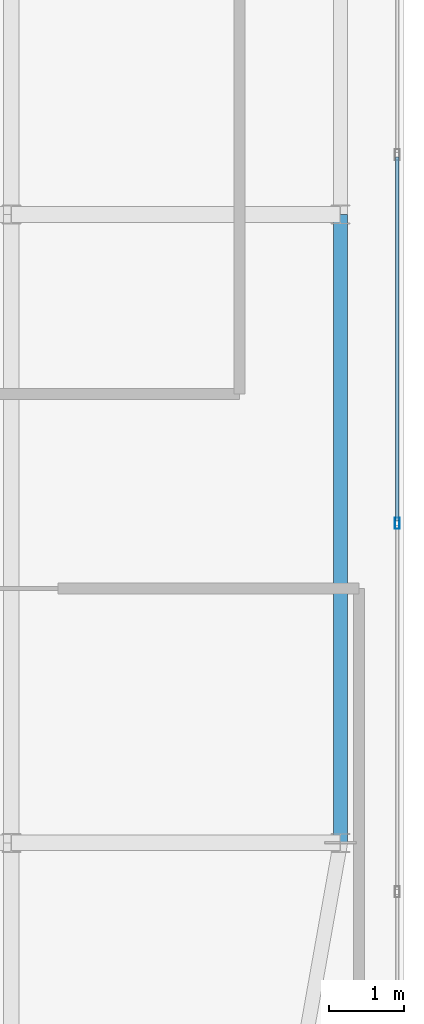
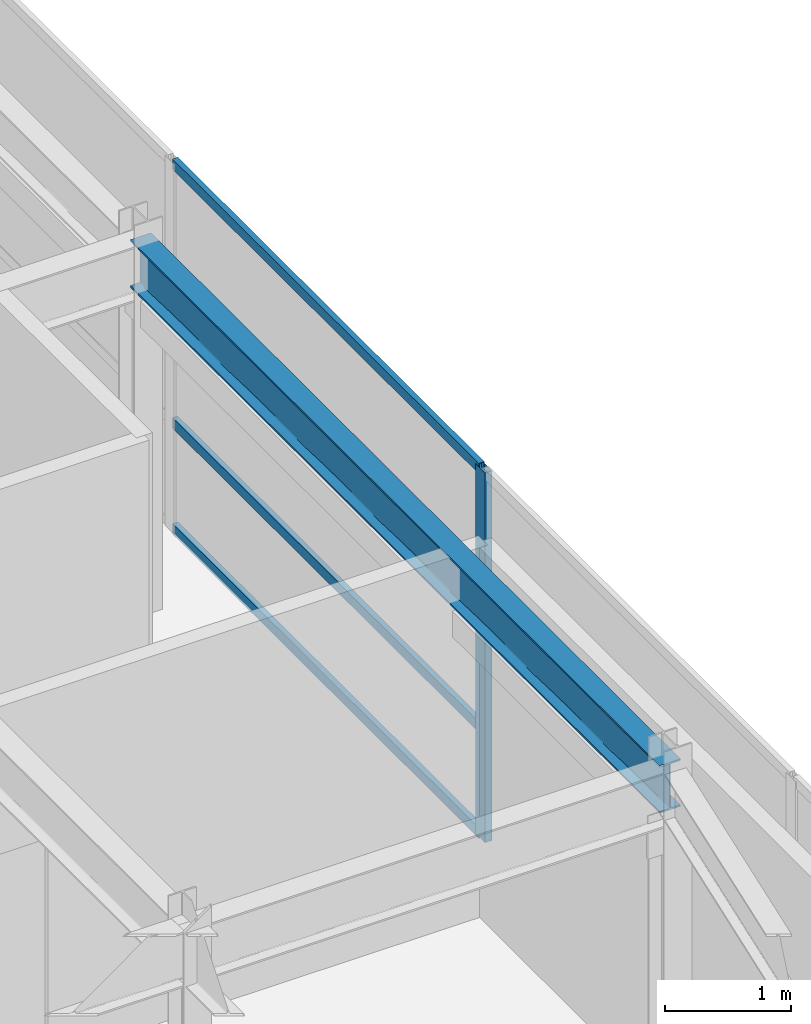
# One storey, part 22 of 36: 4 members, 1 beam, 1 element without a shape of its own.
"""IFC4 building model written with IfcOpenShell, lengths in metres."""

from ifc_helpers import new_model, si_unit, direction, frame, origin, origin_2d, place, context, subcontext, project, spatial, hollow_rectangle, i_section, extrude, source, transform, mapped, material, layer, layer_set, material_profile, profile_set, type_object, type_shapes, element, aggregate, save


model = new_model("IFC4")

# Units and contexts
model_context = context("Model", 3, precision=1e-05, world=origin(), true_north=direction((0.0, 1.0)))
body_context = subcontext(model_context, "Body", "Model", "MODEL_VIEW")
ifc_project = project(units=[si_unit("LENGTHUNIT", "METRE"), si_unit("AREAUNIT", "SQUARE_METRE"), si_unit("VOLUMEUNIT", "CUBIC_METRE"), si_unit("PLANEANGLEUNIT", "RADIAN"), si_unit("MASSUNIT", "GRAM", prefix="KILO")], contexts=[model_context])

# Site, building, storey
site_placement = place(None, origin())
site = spatial("IfcSite", under=ifc_project, at=site_placement, CompositionType="ELEMENT")
building_placement = place(site_placement, origin())
building = spatial("IfcBuilding", under=site, at=building_placement, Name="Tolvann Quenvar Hotel", CompositionType="ELEMENT")
storey_placement = place(building_placement, frame((0.0, 0.0, 302.35009765625)))
storey = spatial("IfcBuildingStorey", under=building, at=storey_placement, Name="L80", CompositionType="ELEMENT", Elevation=302.35009765625)

# Beam
ifc_material_1 = material(Name="Steel Grade 350", Category="steel")
ifc_material_profile_1 = material_profile(ifc_material_1, i_section(OverallWidth=0.19091796875, OverallDepth=0.4599609375, WebThickness=0.010009765625, FlangeThickness=0.01611328125, FilletRadius=0.011474609375, at=origin_2d()), Name="460UB82")
ifc_profile_set_1 = profile_set([ifc_material_profile_1], Name="Steel Grade 350")
beam_type = type_object("IfcBeamType", Name="BM_SPAND_460UB82", PredefinedType="SPANDREL", material=ifc_profile_set_1)
shared_shape_1 = source(origin(), body_context, "Body", "SweptSolid", [
    extrude(i_section(OverallWidth=0.19091796875, OverallDepth=0.4599609375, WebThickness=0.010009765625, FlangeThickness=0.01611328125, FilletRadius=0.011474609375, at=origin_2d()), origin(), (0.0, 0.0, 1.0), 8.39990234375),
])
type_shapes(beam_type, [shared_shape_1])
beam_placement = place(storey_placement, frame((37.14990234375, 16.0, 3.349853515625), z_axis=(0.0, 1.0, 0.0), x_axis=(-1.0, 0.0, 0.0)))
element("IfcBeam", 1, at=beam_placement, inside=storey, type_object=beam_type, Name="BM-L80-NS-G4-G5", PredefinedType="SPANDREL", context=body_context, shape_type="MappedRepresentation", body=[
    mapped(shared_shape_1, transform((0.0, 0.0, 0.0), x_axis=(1.0, 0.0, 0.0), y_axis=(0.0, 1.0, 0.0), z_axis=(0.0, 0.0, 1.0), scale=1.0)),
])

# Curtain wall, members
ifc_material_2 = material(Name="Thermally broken anodised architectural aluminium 6063-T6 and laminated low-E glass", Category="aluminium")
ifc_layer = layer(ifc_material_2, 0.179931640625)
ifc_layer_set = layer_set([ifc_layer], Name="Thermally broken anodised architectural aluminium 6063-T6 and laminated low-E glass")
curtain_wall_type = type_object("IfcCurtainWallType", Name="CW_SYS_LANT_06", PredefinedType="USERDEFINED", material=ifc_layer_set)
curtain_wall_placement = place(storey_placement, origin())
curtain_wall = element("IfcCurtainWall", 2, at=curtain_wall_placement, inside=storey, type_object=curtain_wall_type, Name="Curtain Wall CW-LANT-06 (CWR-L80-E09)", ObjectType="UNITISED CURTAIN WALL", PredefinedType="USERDEFINED")
ifc_material_3 = material(Name="Anodised architectural aluminium 6063-T6 framing", Category="aluminium")
ifc_material_profile_2 = material_profile(ifc_material_3, hollow_rectangle(XDim=0.050048828125, YDim=0.10009765625, WallThickness=0.0029296875, at=origin_2d()), Name="100x50x3RHS")
ifc_profile_set_2 = profile_set([ifc_material_profile_2], Name="Anodised architectural aluminium 6063-T6 framing")
member_type_1 = type_object("IfcMemberType", Name="CW_TRAN_100x50", PredefinedType="USERDEFINED", material=ifc_profile_set_2)
shared_shape_2 = source(origin(), body_context, "Body", "SweptSolid", [
    extrude(hollow_rectangle(XDim=0.050048828125, YDim=0.10009765625, WallThickness=0.0029296875, at=origin_2d()), origin(), (0.0, 0.0, 1.0), 4.862548828125),
])
type_shapes(member_type_1, [shared_shape_2])
member_1_placement = place(storey_placement, frame((37.909912109375, 20.304931640625, 0.02490234375), z_axis=(0.0, 1.0, 0.0), x_axis=(-1.0, 0.0, 0.0)))
member_1 = element("IfcMember", 3, at=member_1_placement, type_object=member_type_1, Name="CW-LANT-06 transom 3.1", ObjectType="TRANSOM", PredefinedType="USERDEFINED", context=body_context, shape_type="MappedRepresentation", body=[
    mapped(shared_shape_2, transform((0.0, 0.0, 0.0), x_axis=(1.0, 0.0, 0.0), y_axis=(0.0, 1.0, 0.0), z_axis=(0.0, 0.0, 1.0), scale=1.0)),
])
member_2_placement = place(storey_placement, frame((37.909912109375, 20.304931640625, 1.0498046875), z_axis=(0.0, 1.0, 0.0), x_axis=(-1.0, 0.0, 0.0)))
member_2 = element("IfcMember", 4, at=member_2_placement, type_object=member_type_1, Name="CW-LANT-06 transom 3.2", ObjectType="TRANSOM", PredefinedType="USERDEFINED", context=body_context, shape_type="MappedRepresentation", body=[
    mapped(shared_shape_2, transform((0.0, 0.0, 0.0), x_axis=(1.0, 0.0, 0.0), y_axis=(0.0, 1.0, 0.0), z_axis=(0.0, 0.0, 1.0), scale=1.0)),
])
member_3_placement = place(storey_placement, frame((37.909912109375, 20.304931640625, 3.554931640625), z_axis=(0.0, 1.0, 0.0), x_axis=(-1.0, 0.0, 0.0)))
member_3 = element("IfcMember", 5, at=member_3_placement, type_object=member_type_1, Name="CW-LANT-06 transom 3.3", ObjectType="TRANSOM", PredefinedType="USERDEFINED", context=body_context, shape_type="MappedRepresentation", body=[
    mapped(shared_shape_2, transform((0.0, 0.0, 0.0), x_axis=(1.0, 0.0, 0.0), y_axis=(0.0, 1.0, 0.0), z_axis=(0.0, 0.0, 1.0), scale=1.0)),
])
ifc_material_profile_3 = material_profile(ifc_material_3, hollow_rectangle(XDim=0.06494140625, YDim=0.14990234375, WallThickness=0.00390625, at=origin_2d()), Name="150x65x4RHS")
ifc_profile_set_3 = profile_set([ifc_material_profile_3], Name="Anodised architectural aluminium 6063-T6 framing")
member_type_2 = type_object("IfcMemberType", Name="CW_MULL_150x65", PredefinedType="MULLION", material=ifc_profile_set_3)
shared_shape_3 = source(origin(), body_context, "Body", "SweptSolid", [
    extrude(hollow_rectangle(XDim=0.06494140625, YDim=0.14990234375, WallThickness=0.00390625, at=origin_2d()), origin(), (0.0, 0.0, 1.0), 3.579833984375),
])
type_shapes(member_type_2, [shared_shape_3])
member_4_placement = place(storey_placement, frame((37.909912109375, 20.2724609375, 0.0), z_axis=(0.0, 0.0, 1.0), x_axis=(-1.0, 0.0, 0.0)))
member_4 = element("IfcMember", 6, at=member_4_placement, type_object=member_type_2, Name="CW-LANT-06 mullion 3", PredefinedType="MULLION", context=body_context, shape_type="MappedRepresentation", body=[
    mapped(shared_shape_3, transform((0.0, 0.0, 0.0), x_axis=(1.0, 0.0, 0.0), y_axis=(0.0, 1.0, 0.0), z_axis=(0.0, 0.0, 1.0), scale=1.0)),
])
aggregate(curtain_wall, [member_4, member_1, member_2, member_3])

save(model, "model.ifc")
